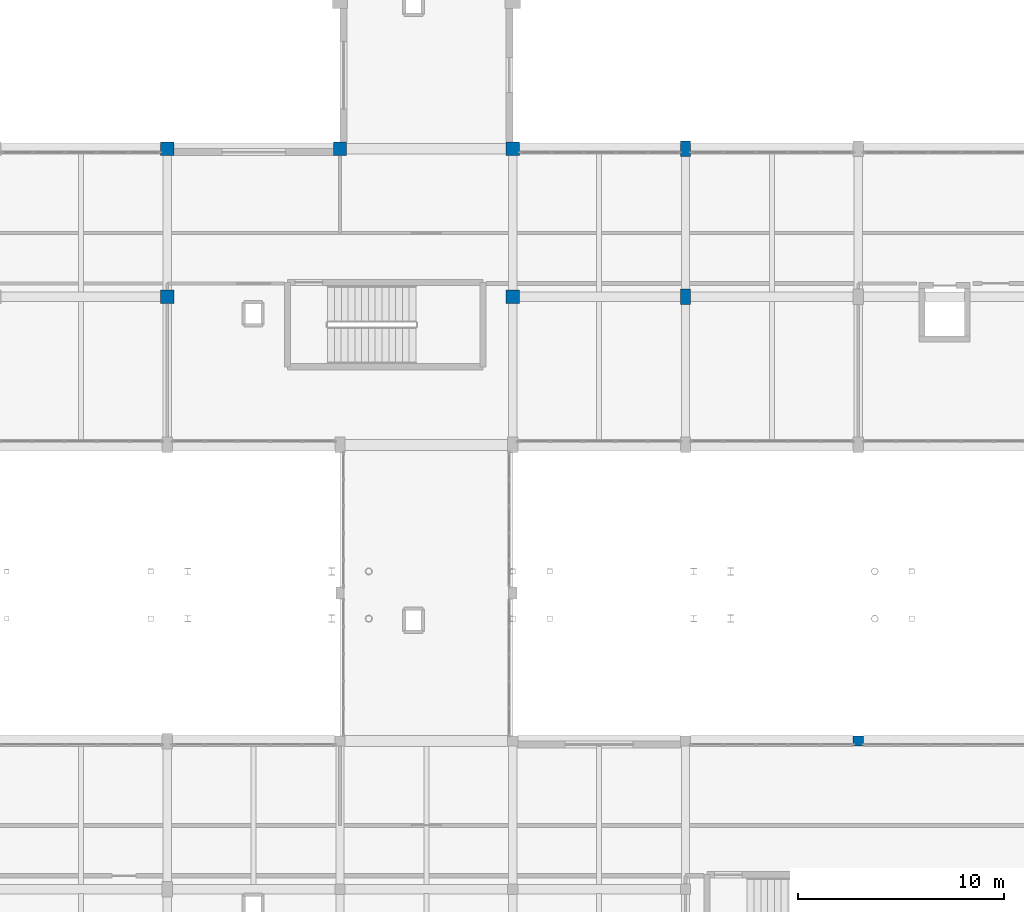
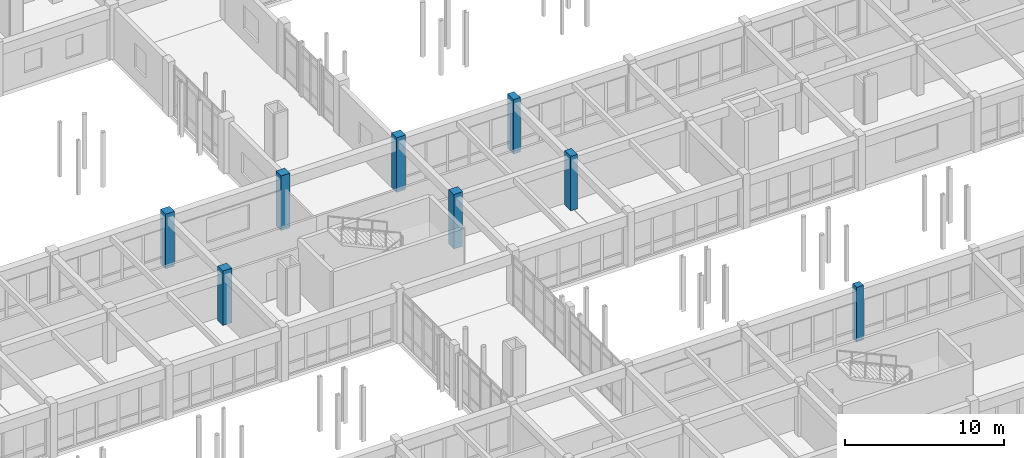
# One storey, part 20 of 147: 8 columns.
"""IFC4 building model written with IfcOpenShell, lengths in metres."""

from ifc_helpers import new_model, si_unit, direction, frame, origin, origin_2d, place, context, subcontext, project, spatial, rectangle, extrude, material, material_profile, profile_set, type_object, element, save


model = new_model("IFC4")

# Units and contexts
model_context = context("Model", 3, precision=1e-05, world=origin(), true_north=direction((0.0, 1.0)))
body_context = subcontext(model_context, "Body", "Model", "MODEL_VIEW")
ifc_project = project(units=[si_unit("LENGTHUNIT", "METRE"), si_unit("AREAUNIT", "SQUARE_METRE"), si_unit("VOLUMEUNIT", "CUBIC_METRE"), si_unit("PLANEANGLEUNIT", "RADIAN"), si_unit("MASSUNIT", "GRAM", prefix="KILO")], contexts=[model_context])

# Site, building, storey
site_placement = place(None, origin())
site = spatial("IfcSite", under=ifc_project, at=site_placement, CompositionType="ELEMENT")
building_placement = place(site_placement, origin())
building = spatial("IfcBuilding", under=site, at=building_placement, Name="Malvenik Polytechnic", CompositionType="ELEMENT")
storey_placement = place(building_placement, frame((0.0, 0.0, 5.10009765625)))
storey = spatial("IfcBuildingStorey", under=building, at=storey_placement, Name="L01", CompositionType="ELEMENT", Elevation=5.10009765625)

# Columns
ifc_material = material(Name="Concrete C35/45", Category="concrete")
ifc_material_profile_1 = material_profile(ifc_material, rectangle(XDim=0.64990234375, YDim=0.64990234375, at=origin_2d()), Name="RC COL 650x650")
ifc_profile_set_1 = profile_set([ifc_material_profile_1], Name="Concrete C35/45")
column_type_1 = type_object("IfcColumnType", Name="STR-COL-C-05", PredefinedType="COLUMN", material=ifc_profile_set_1)
for number, where, z_axis, x_axis, name in (
    (1, (67.199951171875, 86.39990234375, 0.0), (0.0, 0.0, 1.0), (1.0, 0.0, 0.0), "Column C-05 L01 (67.2,86.4)"),
    (2, (67.199951171875, 93.60009765625, 0.0), (0.0, 0.0, 1.0), (1.0, 0.0, 0.0), "Column C-05 L01 (67.2,93.6)"),
    (3, (75.60009765625, 93.60009765625, 0.0), (0.0, 0.0, 1.0), (1.0, 0.0, 0.0), "Column C-05 L01 (75.6,93.6)"),
    (4, (84.0, 86.39990234375, 0.0), (0.0, 0.0, 1.0), (1.0, 0.0, 0.0), "Column C-05 L01 (84.0,86.4)"),
    (5, (84.0, 93.60009765625, 0.0), (0.0, 0.0, 1.0), (1.0, 0.0, 0.0), "Column C-05 L01 (84.0,93.6)"),
):
    element("IfcColumn", number, at=place(storey_placement, frame(where, z_axis=z_axis, x_axis=x_axis)), inside=storey, type_object=column_type_1, Name=name, PredefinedType="COLUMN", context=body_context, shape_type="SweptSolid", body=[
        extrude(rectangle(XDim=0.64990234375, YDim=0.64990234375, at=origin_2d()), origin(), (0.0, 0.0, 1.0), 4.199951171875),
    ])
ifc_material_profile_2 = material_profile(ifc_material, rectangle(XDim=0.5, YDim=0.5, at=origin_2d()), Name="RC COL 500x500")
ifc_profile_set_2 = profile_set([ifc_material_profile_2], Name="Concrete C35/45")
column_type_2 = type_object("IfcColumnType", Name="STR-COL-C-08", PredefinedType="COLUMN", material=ifc_profile_set_2)
column_placement = place(storey_placement, frame((100.800048828125, 64.800048828125, 0.0), z_axis=(0.0, 0.0, 1.0), x_axis=(1.0, 0.0, 0.0)))
element("IfcColumn", 6, at=column_placement, inside=storey, type_object=column_type_2, Name="Column C-08 L01 (100.8,64.8)", PredefinedType="COLUMN", context=body_context, shape_type="SweptSolid", body=[
    extrude(rectangle(XDim=0.5, YDim=0.5, at=origin_2d()), origin(), (0.0, 0.0, 1.0), 4.199951171875),
])
ifc_material_profile_3 = material_profile(ifc_material, rectangle(XDim=0.5, YDim=0.75, at=origin_2d()), Name="RC COL 750x500")
ifc_profile_set_3 = profile_set([ifc_material_profile_3], Name="Concrete C35/45")
column_type_3 = type_object("IfcColumnType", Name="STR-COL-C-14", PredefinedType="COLUMN", material=ifc_profile_set_3)
for number, where, z_axis, x_axis, name in (
    (7, (92.39990234375, 86.39990234375, 0.0), (0.0, 0.0, 1.0), (1.0, 0.0, 0.0), "Column C-14 L01 (92.4,86.4)"),
    (8, (92.39990234375, 93.60009765625, 0.0), (0.0, 0.0, 1.0), (1.0, 0.0, 0.0), "Column C-14 L01 (92.4,93.6)"),
):
    element("IfcColumn", number, at=place(storey_placement, frame(where, z_axis=z_axis, x_axis=x_axis)), inside=storey, type_object=column_type_3, Name=name, PredefinedType="COLUMN", context=body_context, shape_type="SweptSolid", body=[
        extrude(rectangle(XDim=0.5, YDim=0.75, at=origin_2d()), origin(), (0.0, 0.0, 1.0), 4.199951171875),
    ])

save(model, "model.ifc")
